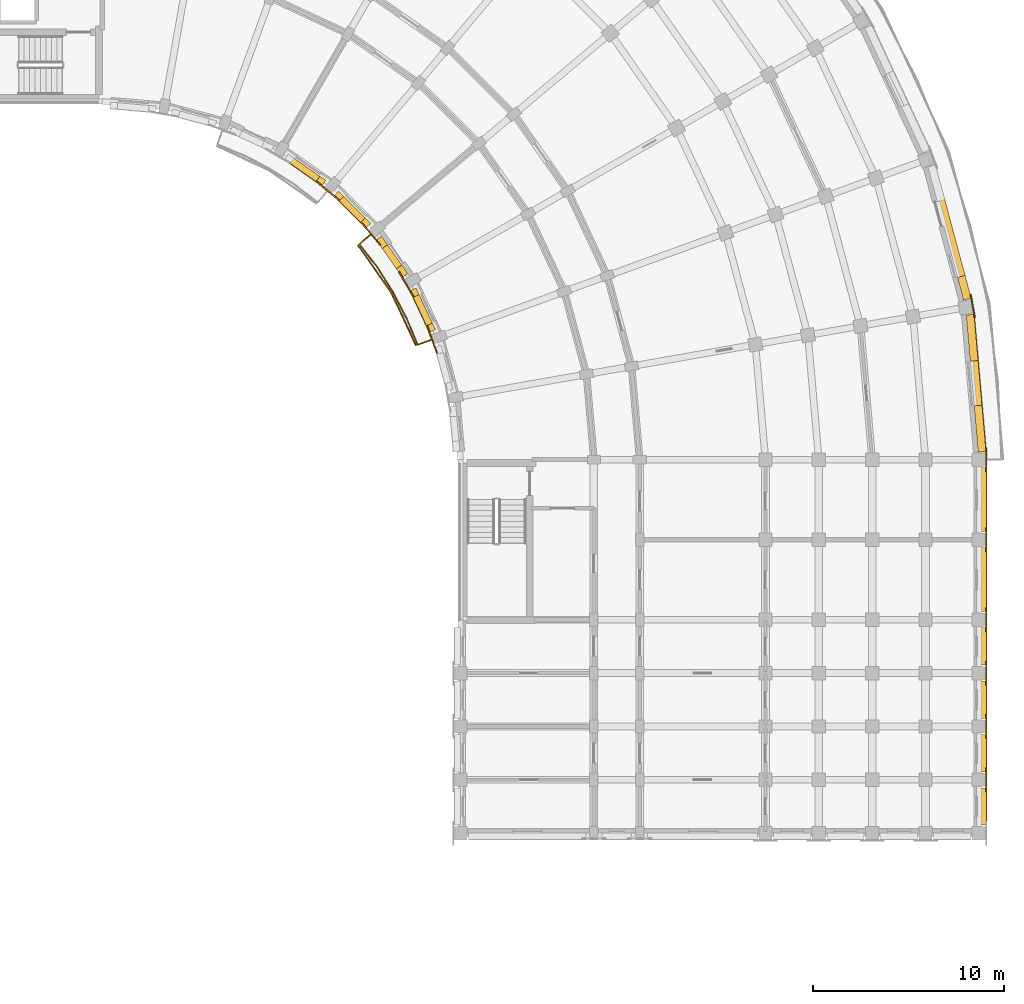
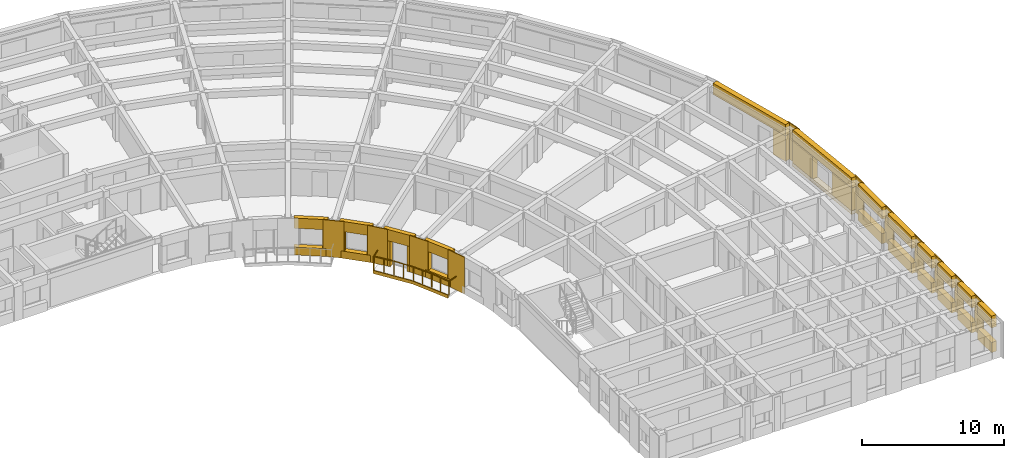
# One storey, part 54 of 57: 44 coverings, 1 railing.
"""IFC4 building model written with IfcOpenShell, lengths in metres."""

import ifcopenshell
import ifcopenshell.guid

model = None  # the IFC model being written
_history = None  # IfcOwnerHistory: only IFC2X3 demands one
_inside = {}  # id of a spatial element -> (the spatial element, [elements in it])
_under = {}  # id of a project, library or spatial element -> (it, [spatial elements below it])
_declared = {}  # id of a project -> (the project, [libraries it declares])
_typed = {}  # id of a type object -> (the type object, [elements of that type])
_made_of = {}  # id of a material, layer set ... -> (it, [elements and type objects made of it])


def new_model(schema):
    """Start an empty IFC model of exactly this schema.

    Asked for "IFC4X3", IfcOpenShell would pick the latest addendum, in which some entities
    have other attributes; the version numbers below select the first issue.
    IFC2X3 requires an IfcOwnerHistory on every rooted entity: one is made here for all.
    """
    global model, _history
    if schema == "IFC4X3":
        model = ifcopenshell.file(schema_version=(4, 3, 0, 0))
    else:
        model = ifcopenshell.file(schema=schema)
    _inside.clear()
    _under.clear()
    _declared.clear()
    _typed.clear()
    _made_of.clear()
    _history = None
    if model.schema == "IFC2X3":
        org = make("IfcOrganization", Name="unknown")
        user = make(
            "IfcPersonAndOrganization",
            ThePerson=make("IfcPerson", FamilyName="unknown"),
            TheOrganization=org,
        )
        app = make(
            "IfcApplication",
            ApplicationDeveloper=org,
            Version="unknown",
            ApplicationFullName="unknown",
            ApplicationIdentifier="unknown",
        )
        _history = make(
            "IfcOwnerHistory",
            OwningUser=user,
            OwningApplication=app,
            ChangeAction="ADDED",
            CreationDate=0,
        )
    return model


def make(cls, **values):
    """One entity of the class cls with the attributes given. An attribute that is None is left unset."""
    return model.create_entity(
        cls, **{name: value for name, value in values.items() if value is not None}
    )


def rooted(cls, **values):
    """An entity with a GlobalId (a new one), such as an element, a storey or a relation."""
    return make(cls, GlobalId=ifcopenshell.guid.new(), OwnerHistory=_history, **values)


def si_unit(unit_type, name, prefix=None):
    """IfcSIUnit, for example si_unit("LENGTHUNIT", "METRE", prefix="MILLI")."""
    return make("IfcSIUnit", UnitType=unit_type, Prefix=prefix, Name=name)


def assignment(units):
    """IfcUnitAssignment: the units of a project."""
    return None if units is None else make("IfcUnitAssignment", Units=units)


def point(xyz):
    """IfcCartesianPoint."""
    return None if xyz is None else make("IfcCartesianPoint", Coordinates=xyz)


def direction(xyz):
    """IfcDirection."""
    return None if xyz is None else make("IfcDirection", DirectionRatios=xyz)


def frame(location, z_axis=None, x_axis=None):
    """IfcAxis2Placement3D, a coordinate frame: its origin and axes. An axis left out is left unset."""
    return make(
        "IfcAxis2Placement3D",
        Location=point(location),
        Axis=direction(z_axis),
        RefDirection=direction(x_axis),
    )


def frame_2d(location, x_axis=None):
    """IfcAxis2Placement2D, a coordinate frame in the plane: its origin and x axis."""
    return make(
        "IfcAxis2Placement2D", Location=point(location), RefDirection=direction(x_axis)
    )


def origin():
    """The frame at (0, 0, 0) with its axes left unset."""
    return frame((0.0, 0.0, 0.0))


def origin_2d():
    """The frame at (0, 0) in the plane with its x axis left unset."""
    return frame_2d((0.0, 0.0))


def place(relative_to, where):
    """IfcLocalPlacement: puts the frame where relative to a parent placement (None: the world)."""
    return make(
        "IfcLocalPlacement", PlacementRelTo=relative_to, RelativePlacement=where
    )


def context(
    kind, dimensions, precision=None, world=None, true_north=None, identifier=None
):
    """IfcGeometricRepresentationContext, for example the 3D "Model" context."""
    return make(
        "IfcGeometricRepresentationContext",
        ContextIdentifier=identifier,
        ContextType=kind,
        CoordinateSpaceDimension=dimensions,
        Precision=precision,
        WorldCoordinateSystem=world,
        TrueNorth=true_north,
    )


def subcontext(parent, identifier, kind, view, scale=None):
    """IfcGeometricRepresentationSubContext, for example "Body" below "Model"."""
    return make(
        "IfcGeometricRepresentationSubContext",
        ContextIdentifier=identifier,
        ContextType=kind,
        ParentContext=parent,
        TargetScale=scale,
        TargetView=view,
    )


def project(units=None, contexts=None):
    """IfcProject with its units and contexts."""
    return rooted(
        "IfcProject",
        Name="project",
        RepresentationContexts=contexts,
        UnitsInContext=assignment(units),
    )


def spatial(cls, under=None, at=None, **own):
    """A site, building, storey or space (cls), placed at a placement, below another one or the project."""
    s = rooted(cls, ObjectPlacement=at, **own)
    if under is not None:
        _under.setdefault(under.id(), (under, []))[1].append(s)
    return s


def polyline(points):
    """IfcPolyline through the points."""
    return make("IfcPolyline", Points=[point(p) for p in points])


def profile(cls, at=None, kind="AREA", **sizes):
    """A parametric profile (cls). Its sizes go by their IFC names, for example OverallWidth=200.0."""
    return make(cls, ProfileType=kind, Position=at, **sizes)


def circle(**sizes):
    """IfcCircleProfileDef."""
    return profile("IfcCircleProfileDef", **sizes)


def outline(outer, holes=None, kind="AREA"):
    """IfcArbitraryClosedProfileDef: a profile drawn as a closed curve; with holes, ...WithVoids."""
    if holes is None:
        return make("IfcArbitraryClosedProfileDef", ProfileType=kind, OuterCurve=outer)
    return make(
        "IfcArbitraryProfileDefWithVoids",
        ProfileType=kind,
        OuterCurve=outer,
        InnerCurves=holes,
    )


def extrude(swept, where, along, depth):
    """IfcExtrudedAreaSolid: the profile swept, set in the frame where, extruded along a direction by depth."""
    return make(
        "IfcExtrudedAreaSolid",
        SweptArea=swept,
        Position=where,
        ExtrudedDirection=direction(along),
        Depth=depth,
    )


def shape(context_of_items, identifier, shape_type, items):
    """IfcShapeRepresentation: the items that make up one representation, for example the "Body"."""
    return make(
        "IfcShapeRepresentation",
        ContextOfItems=context_of_items,
        RepresentationIdentifier=identifier,
        RepresentationType=shape_type,
        Items=items,
    )


def material(Name=None, Category=None):
    """IfcMaterial."""
    return make("IfcMaterial", Name=Name, Category=Category)


def layer(
    of_material, thickness, ventilated=None, Name=None, Category=None, Priority=None
):
    """IfcMaterialLayer: one layer of a wall or slab, of a material (None: an air gap)."""
    return make(
        "IfcMaterialLayer",
        Material=of_material,
        LayerThickness=thickness,
        IsVentilated=ventilated,
        Name=Name,
        Category=Category,
        Priority=Priority,
    )


def layer_set(layers, Name=None):
    """IfcMaterialLayerSet."""
    return make("IfcMaterialLayerSet", MaterialLayers=layers, LayerSetName=Name)


def made_of(thing, what):
    """Note that an element or type object is made of a material, layer set ...; save() writes the relation."""
    if what is not None:
        _made_of.setdefault(what.id(), (what, []))[1].append(thing)
    return thing


def type_object(cls, material=None, **own):
    """A type object (cls), such as IfcWallType, which elements share."""
    return made_of(rooted(cls, **own), material)


def element(
    cls,
    number,
    at=None,
    inside=None,
    cuts=None,
    type_object=None,
    material=None,
    context=None,
    identifier="Body",
    shape_type=None,
    held_by="IfcProductDefinitionShape",
    body=None,
    shapes=None,
    **own,
):
    """One element of the class cls, such as IfcWall. Its Tag is "e" and its number.

    at: its placement. inside: the storey or other place that contains it. cuts: it is an
    opening in that element (IfcRelVoidsElement). A single representation is given by context,
    identifier, shape_type and body (its items); several are given by shapes. held_by: the class
    of the entity that holds the representations. save() writes the other relations.
    """
    e = rooted(cls, Tag="e%d" % number, ObjectPlacement=at, **own)
    if body is not None:
        shapes = [shape(context, identifier, shape_type, body)]
    if shapes is not None:
        e.Representation = make(held_by, Representations=shapes)
    if inside is not None:
        _inside.setdefault(inside.id(), (inside, []))[1].append(e)
    if cuts is not None:
        rooted(
            "IfcRelVoidsElement", RelatingBuildingElement=cuts, RelatedOpeningElement=e
        )
    if type_object is not None:
        _typed.setdefault(type_object.id(), (type_object, []))[1].append(e)
    return made_of(e, material)


def aggregate(whole, parts):
    """IfcRelAggregates: a whole, such as a stair, and the parts it consists of."""
    return rooted("IfcRelAggregates", RelatingObject=whole, RelatedObjects=parts)


def save(model, path):
    """Write the relations noted so far, then the file.

    IfcRelAggregates (storeys below a building ...), IfcRelContainedInSpatialStructure (elements
    in a storey), IfcRelDefinesByType, IfcRelAssociatesMaterial and IfcRelDeclares: one each for
    every whole, place, type object, material and project.
    """
    for whole, parts in _under.values():
        aggregate(whole, parts)
    for where, things in _inside.values():
        rooted(
            "IfcRelContainedInSpatialStructure",
            RelatedElements=things,
            RelatingStructure=where,
        )
    for kind, things in _typed.values():
        rooted("IfcRelDefinesByType", RelatedObjects=things, RelatingType=kind)
    for what, things in _made_of.values():
        rooted("IfcRelAssociatesMaterial", RelatedObjects=things, RelatingMaterial=what)
    for by, libraries in _declared.values():
        rooted("IfcRelDeclares", RelatingContext=by, RelatedDefinitions=libraries)
    model.write(path)


model = new_model("IFC4")

# Units and contexts
model_context = context("Model", 3, precision=1e-05, world=origin(), true_north=direction((0.0, 1.0)))
body_context = subcontext(model_context, "Body", "Model", "MODEL_VIEW")
ifc_project = project(units=[si_unit("LENGTHUNIT", "METRE"), si_unit("AREAUNIT", "SQUARE_METRE"), si_unit("VOLUMEUNIT", "CUBIC_METRE"), si_unit("PLANEANGLEUNIT", "RADIAN"), si_unit("MASSUNIT", "GRAM", prefix="KILO")], contexts=[model_context])

# Site, building, storey
site_placement = place(None, origin())
site = spatial("IfcSite", under=ifc_project, at=site_placement, CompositionType="ELEMENT")
building_placement = place(site_placement, origin())
building = spatial("IfcBuilding", under=site, at=building_placement, Name="Kiranvali Square Residences", CompositionType="ELEMENT")
storey_placement = place(building_placement, frame((0.0, 0.0, 21.300048828125)))
storey = spatial("IfcBuildingStorey", under=building, at=storey_placement, Name="L06", CompositionType="ELEMENT", Elevation=21.300048828125)

# Coverings
ifc_material_1 = material(Name="Carved Porbandar limestone classical entablature and cornice", Category="masonry")
ifc_layer_1 = layer(ifc_material_1, 0.06201171875)
ifc_layer_set_1 = layer_set([ifc_layer_1], Name="Carved Porbandar limestone classical entablature and cornice")
covering_type_1 = type_object("IfcCoveringType", Name="COV-CLAD-GBAL", PredefinedType="CLADDING", material=ifc_layer_set_1)
covering_1_placement = place(storey_placement, frame((0.0, 0.0, -0.219970703125)))
element("IfcCovering", 1, at=covering_1_placement, inside=storey, type_object=covering_type_1, Name="Block B L06 garden balcony limestone fascia 2", PredefinedType="CLADDING", context=body_context, shape_type="SweptSolid", body=[
    extrude(outline(polyline([(133.1904296875, 99.035888671875), (134.938232421875, 96.5400390625), (136.225830078125, 93.778564453125), (136.289794921875, 93.8017578125), (134.9970703125, 96.573974609375), (133.242431640625, 99.07958984375), (133.1904296875, 99.035888671875)])), origin(), (0.0, 0.0, 1.0), 0.27001953125),
])
ifc_material_2 = material(Name="Honed Porbandar limestone ashlar facade cladding", Category="masonry")
ifc_layer_2 = layer(ifc_material_2, 0.3798828125)
ifc_layer_set_2 = layer_set([ifc_layer_2], Name="Honed Porbandar limestone ashlar facade cladding")
covering_type_2 = type_object("IfcCoveringType", Name="COV-CLAD-JAMB", PredefinedType="CLADDING", material=ifc_layer_set_2)
covering_2_placement = place(storey_placement, origin())
element("IfcCovering", 2, at=covering_2_placement, inside=storey, type_object=covering_type_2, Name="L06 deep limestone window jamb reveal B-L06-CRV-07.R", PredefinedType="CLADDING", context=body_context, shape_type="SweptSolid", body=[
    extrude(outline(polyline([(164.6806640625, 97.359375), (164.998046875, 96.17431640625), (165.3935546875, 96.2802734375), (165.076171875, 97.46533203125), (164.6806640625, 97.359375)])), origin(), (0.0, 0.0, 1.0), 2.179931640625),
])
covering_3_placement = place(storey_placement, frame((0.0, 0.0, 0.322021484375)))
element("IfcCovering", 3, at=covering_3_placement, inside=storey, type_object=covering_type_2, Name="L06 deep limestone window jamb reveal B-L06-CRV-08.L", PredefinedType="CLADDING", context=body_context, shape_type="SweptSolid", body=[
    extrude(outline(polyline([(165.136474609375, 95.389404296875), (165.3486328125, 92.964599609375), (165.756591796875, 93.000244140625), (165.54443359375, 95.425048828125), (165.136474609375, 95.389404296875)])), origin(), (0.0, 0.0, 1.0), 1.949951171875),
])
covering_4_placement = place(storey_placement, frame((0.0, 0.0, 0.322021484375)))
element("IfcCovering", 4, at=covering_4_placement, inside=storey, type_object=covering_type_2, Name="L06 deep limestone window jamb reveal B-L06-CRV-08.R", PredefinedType="CLADDING", context=body_context, shape_type="SweptSolid", body=[
    extrude(outline(polyline([(165.553466796875, 90.62353515625), (165.765625, 88.198486328125), (166.173583984375, 88.234130859375), (165.96142578125, 90.6591796875), (165.553466796875, 90.62353515625)])), origin(), (0.0, 0.0, 1.0), 1.949951171875),
])
covering_5_placement = place(storey_placement, frame((0.0, 0.0, 0.671875)))
element("IfcCovering", 5, at=covering_5_placement, inside=storey, type_object=covering_type_2, Name="L06 deep limestone window jamb reveal B-L06-GDN-03.R", PredefinedType="CLADDING", context=body_context, shape_type="SweptSolid", body=[
    extrude(outline(polyline([(131.02294921875, 102.3896484375), (131.328857421875, 102.175537109375), (131.523681640625, 102.45361328125), (131.2177734375, 102.66796875), (131.02294921875, 102.3896484375)])), origin(), (0.0, 0.0, 1.0), 1.60009765625),
])
covering_6_placement = place(storey_placement, frame((0.0, 0.0, 0.6220703125)))
element("IfcCovering", 6, at=covering_6_placement, inside=storey, type_object=covering_type_2, Name="L06 deep limestone window jamb reveal B-L06-GDN-04.L", PredefinedType="CLADDING", context=body_context, shape_type="SweptSolid", body=[
    extrude(outline(polyline([(131.955078125, 101.650146484375), (132.23681640625, 101.368408203125), (132.47705078125, 101.6083984375), (132.195068359375, 101.89013671875), (131.955078125, 101.650146484375)])), origin(), (0.0, 0.0, 1.0), 1.64990234375),
])
covering_7_placement = place(storey_placement, frame((0.0, 0.0, 0.6220703125)))
element("IfcCovering", 7, at=covering_7_placement, inside=storey, type_object=covering_type_2, Name="L06 deep limestone window jamb reveal B-L06-GDN-04.R", PredefinedType="CLADDING", context=body_context, shape_type="SweptSolid", body=[
    extrude(outline(polyline([(133.368408203125, 100.23681640625), (133.650146484375, 99.955078125), (133.89013671875, 100.195068359375), (133.6083984375, 100.47705078125), (133.368408203125, 100.23681640625)])), origin(), (0.0, 0.0, 1.0), 1.64990234375),
])
covering_8_placement = place(storey_placement, origin())
element("IfcCovering", 8, at=covering_8_placement, inside=storey, type_object=covering_type_2, Name="L06 deep limestone window jamb reveal B-L06-GDN-05.L", PredefinedType="CLADDING", context=body_context, shape_type="SweptSolid", body=[
    extrude(outline(polyline([(134.175537109375, 99.328857421875), (134.490234375, 98.879638671875), (134.768310546875, 99.074462890625), (134.45361328125, 99.523681640625), (134.175537109375, 99.328857421875)])), origin(), (0.0, 0.0, 1.0), 2.179931640625),
])
covering_9_placement = place(storey_placement, origin())
element("IfcCovering", 9, at=covering_9_placement, inside=storey, type_object=covering_type_2, Name="L06 deep limestone window jamb reveal B-L06-GDN-05.R", PredefinedType="CLADDING", context=body_context, shape_type="SweptSolid", body=[
    extrude(outline(polyline([(135.23583984375, 97.814697265625), (135.55029296875, 97.365478515625), (135.828369140625, 97.56005859375), (135.513916015625, 98.009521484375), (135.23583984375, 97.814697265625)])), origin(), (0.0, 0.0, 1.0), 2.179931640625),
])
covering_10_placement = place(storey_placement, frame((0.0, 0.0, 0.671875)))
element("IfcCovering", 10, at=covering_10_placement, inside=storey, type_object=covering_type_2, Name="L06 deep limestone window jamb reveal B-L06-GDN-06.L", PredefinedType="CLADDING", context=body_context, shape_type="SweptSolid", body=[
    extrude(outline(polyline([(135.958984375, 96.657470703125), (136.116943359375, 96.319091796875), (136.424560546875, 96.46240234375), (136.266845703125, 96.801025390625), (135.958984375, 96.657470703125)])), origin(), (0.0, 0.0, 1.0), 1.60009765625),
])
covering_11_placement = place(storey_placement, frame((0.0, 0.0, 0.671875)))
element("IfcCovering", 11, at=covering_11_placement, inside=storey, type_object=covering_type_2, Name="L06 deep limestone window jamb reveal B-L06-GDN-06.R", PredefinedType="CLADDING", context=body_context, shape_type="SweptSolid", body=[
    extrude(outline(polyline([(136.814208984375, 94.823486328125), (136.97216796875, 94.485107421875), (137.27978515625, 94.62841796875), (137.1220703125, 94.967041015625), (136.814208984375, 94.823486328125)])), origin(), (0.0, 0.0, 1.0), 1.60009765625),
])
ifc_layer_3 = layer(ifc_material_2, 0.06494140625)
ifc_layer_set_3 = layer_set([ifc_layer_3], Name="Honed Porbandar limestone ashlar facade cladding")
covering_type_3 = type_object("IfcCoveringType", Name="COV-CLAD-PIER", PredefinedType="CLADDING", material=ifc_layer_set_3)
covering_12_placement = place(storey_placement, frame((0.0, 0.0, 0.0048828125)))
element("IfcCovering", 12, at=covering_12_placement, inside=storey, type_object=covering_type_3, Name="L06 Classical limestone corner pilaster CLAD-PR-B-L06-A08", PredefinedType="CLADDING", context=body_context, shape_type="SweptSolid", body=[
    extrude(outline(polyline([(165.622314453125, 95.239990234375), (165.4033203125, 96.480712890625), (165.3369140625, 96.468994140625), (165.5556640625, 95.228271484375), (165.622314453125, 95.239990234375)])), origin(), (0.0, 0.0, 1.0), 3.14013671875),
])
covering_13_placement = place(storey_placement, frame((0.0, 0.0, 0.0048828125)))
element("IfcCovering", 13, at=covering_13_placement, inside=storey, type_object=covering_type_3, Name="L06 Classical limestone corner pilaster CLAD-PR-B-L06-A09", PredefinedType="CLADDING", context=body_context, shape_type="SweptSolid", body=[
    extrude(outline(polyline([(166.218017578125, 87.169921875), (166.218017578125, 88.429931640625), (166.150390625, 88.429931640625), (166.150390625, 87.169921875), (166.218017578125, 87.169921875)])), origin(), (0.0, 0.0, 1.0), 3.14013671875),
])
covering_14_placement = place(storey_placement, frame((0.0, 0.0, 0.0048828125)))
element("IfcCovering", 14, at=covering_14_placement, inside=storey, type_object=covering_type_3, Name="L06 Classical limestone pilaster casing CLAD-PR-B-L06-V42", PredefinedType="CLADDING", context=body_context, shape_type="SweptSolid", body=[
    extrude(outline(polyline([(166.150390625, 84.22998046875), (166.150390625, 82.969970703125), (166.218017578125, 82.969970703125), (166.218017578125, 84.22998046875), (166.150390625, 84.22998046875)])), origin(), (0.0, 0.0, 1.0), 3.14013671875),
])
covering_15_placement = place(storey_placement, frame((0.0, 0.0, 0.0048828125)))
element("IfcCovering", 15, at=covering_15_placement, inside=storey, type_object=covering_type_3, Name="L06 Classical limestone pilaster casing CLAD-PR-B-L06-V84", PredefinedType="CLADDING", context=body_context, shape_type="SweptSolid", body=[
    extrude(outline(polyline([(166.150390625, 80.030029296875), (166.150390625, 78.77001953125), (166.218017578125, 78.77001953125), (166.218017578125, 80.030029296875), (166.150390625, 80.030029296875)])), origin(), (0.0, 0.0, 1.0), 3.14013671875),
])
covering_16_placement = place(storey_placement, frame((0.0, 0.0, 0.0048828125)))
element("IfcCovering", 16, at=covering_16_placement, inside=storey, type_object=covering_type_3, Name="L06 Classical limestone pilaster casing CLAD-PR-B-L06-V112", PredefinedType="CLADDING", context=body_context, shape_type="SweptSolid", body=[
    extrude(outline(polyline([(166.150390625, 77.22998046875), (166.150390625, 75.969970703125), (166.218017578125, 75.969970703125), (166.218017578125, 77.22998046875), (166.150390625, 77.22998046875)])), origin(), (0.0, 0.0, 1.0), 3.14013671875),
])
covering_17_placement = place(storey_placement, frame((0.0, 0.0, 0.0048828125)))
element("IfcCovering", 17, at=covering_17_placement, inside=storey, type_object=covering_type_3, Name="L06 Classical limestone pilaster casing CLAD-PR-B-L06-V140", PredefinedType="CLADDING", context=body_context, shape_type="SweptSolid", body=[
    extrude(outline(polyline([(166.150390625, 74.429931640625), (166.150390625, 73.169921875), (166.218017578125, 73.169921875), (166.218017578125, 74.429931640625), (166.150390625, 74.429931640625)])), origin(), (0.0, 0.0, 1.0), 3.14013671875),
])
covering_18_placement = place(storey_placement, frame((0.0, 0.0, 0.0048828125)))
element("IfcCovering", 18, at=covering_18_placement, inside=storey, type_object=covering_type_3, Name="L06 Classical limestone pilaster casing CLAD-PR-B-L06-V167", PredefinedType="CLADDING", context=body_context, shape_type="SweptSolid", body=[
    extrude(outline(polyline([(166.150390625, 71.6298828125), (166.150390625, 70.3701171875), (166.218017578125, 70.3701171875), (166.218017578125, 71.6298828125), (166.150390625, 71.6298828125)])), origin(), (0.0, 0.0, 1.0), 3.14013671875),
])
ifc_layer_4 = layer(ifc_material_2, 0.050048828125)
ifc_layer_set_4 = layer_set([ifc_layer_4], Name="Honed Porbandar limestone ashlar facade cladding")
covering_type_4 = type_object("IfcCoveringType", Name="COV-CLAD-PIER-IN", PredefinedType="CLADDING", material=ifc_layer_set_4)
covering_19_placement = place(storey_placement, frame((0.0, 0.0, 0.0048828125)))
element("IfcCovering", 19, at=covering_19_placement, inside=storey, type_object=covering_type_4, Name="L06 Classical garden courtyard pilaster CLAD-PRIN-B-L06-A04", PredefinedType="CLADDING", context=body_context, shape_type="SweptSolid", body=[
    extrude(outline(polyline([(131.041259765625, 102.363525390625), (132.190185546875, 101.3994140625), (132.233642578125, 101.451171875), (131.08447265625, 102.415283203125), (131.041259765625, 102.363525390625)])), origin(), (0.0, 0.0, 1.0), 3.14013671875),
])
covering_20_placement = place(storey_placement, frame((0.0, 0.0, 0.0048828125)))
element("IfcCovering", 20, at=covering_20_placement, inside=storey, type_object=covering_type_4, Name="L06 Classical garden courtyard pilaster CLAD-PRIN-B-L06-A05", PredefinedType="CLADDING", context=body_context, shape_type="SweptSolid", body=[
    extrude(outline(polyline([(133.3994140625, 100.190185546875), (134.363525390625, 99.041259765625), (134.415283203125, 99.08447265625), (133.451171875, 100.233642578125), (133.3994140625, 100.190185546875)])), origin(), (0.0, 0.0, 1.0), 3.14013671875),
])
covering_21_placement = place(storey_placement, frame((0.0, 0.0, 0.0048828125)))
element("IfcCovering", 21, at=covering_21_placement, inside=storey, type_object=covering_type_4, Name="L06 Classical garden courtyard pilaster CLAD-PRIN-B-L06-A06", PredefinedType="CLADDING", context=body_context, shape_type="SweptSolid", body=[
    extrude(outline(polyline([(135.34423828125, 97.640625), (136.09423828125, 96.341552734375), (136.15283203125, 96.375244140625), (135.40283203125, 97.67431640625), (135.34423828125, 97.640625)])), origin(), (0.0, 0.0, 1.0), 3.14013671875),
])
covering_22_placement = place(storey_placement, frame((0.0, 0.0, 0.0048828125)))
element("IfcCovering", 22, at=covering_22_placement, inside=storey, type_object=covering_type_4, Name="L06 Classical garden courtyard pilaster CLAD-PRIN-B-L06-A07", PredefinedType="CLADDING", context=body_context, shape_type="SweptSolid", body=[
    extrude(outline(polyline([(136.81689453125, 94.791748046875), (137.329833984375, 93.38232421875), (137.393310546875, 93.4052734375), (136.88037109375, 94.81494140625), (136.81689453125, 94.791748046875)])), origin(), (0.0, 0.0, 1.0), 3.14013671875),
])
ifc_layer_5 = layer(ifc_material_2, 0.360107421875)
ifc_layer_set_5 = layer_set([ifc_layer_5], Name="Honed Porbandar limestone ashlar facade cladding")
covering_type_5 = type_object("IfcCoveringType", Name="COV-CLAD-WALL", PredefinedType="CLADDING", material=ifc_layer_set_5)
covering_23_placement = place(storey_placement, frame((0.0, 0.0, 2.179931640625)))
element("IfcCovering", 23, at=covering_23_placement, inside=storey, type_object=covering_type_5, Name="L06 light limestone spandrel lintel B-L06-CRV-07", PredefinedType="CLADDING", context=body_context, shape_type="SweptSolid", body=[
    extrude(outline(polyline([(163.1298828125, 103.146728515625), (164.998046875, 96.17431640625), (165.3935546875, 96.2802734375), (163.525390625, 103.252685546875), (163.1298828125, 103.146728515625)])), origin(), (0.0, 0.0, 1.0), 0.965087890625),
])
covering_24_placement = place(storey_placement, frame((0.0, 0.0, 2.27197265625)))
element("IfcCovering", 24, at=covering_24_placement, inside=storey, type_object=covering_type_5, Name="L06 light limestone spandrel lintel B-L06-CRV-08", PredefinedType="CLADDING", context=body_context, shape_type="SweptSolid", body=[
    extrude(outline(polyline([(165.136474609375, 95.389404296875), (165.765625, 88.198486328125), (166.173583984375, 88.234130859375), (165.54443359375, 95.425048828125), (165.136474609375, 95.389404296875)])), origin(), (0.0, 0.0, 1.0), 0.873046875),
])
covering_25_placement = place(storey_placement, frame((0.0, 0.0, 0.0048828125)))
element("IfcCovering", 25, at=covering_25_placement, inside=storey, type_object=covering_type_5, Name="L06 limestone window sill apron B-L06-CRV-08", PredefinedType="CLADDING", context=body_context, shape_type="SweptSolid", body=[
    extrude(outline(polyline([(165.136474609375, 95.389404296875), (165.765625, 88.198486328125), (166.203369140625, 88.23681640625), (165.57421875, 95.427734375), (165.136474609375, 95.389404296875)])), origin(), (0.0, 0.0, 1.0), 0.317138671875),
])
covering_26_placement = place(storey_placement, frame((0.0, 0.0, 2.27197265625)))
element("IfcCovering", 26, at=covering_26_placement, inside=storey, type_object=covering_type_5, Name="L06 light limestone spandrel lintel B-L06-GDN-03", PredefinedType="CLADDING", context=body_context, shape_type="SweptSolid", body=[
    extrude(outline(polyline([(129.365478515625, 103.55029296875), (131.328857421875, 102.175537109375), (131.523681640625, 102.45361328125), (129.56005859375, 103.828369140625), (129.365478515625, 103.55029296875)])), origin(), (0.0, 0.0, 1.0), 0.873046875),
])
covering_27_placement = place(storey_placement, frame((0.0, 0.0, 2.27197265625)))
element("IfcCovering", 27, at=covering_27_placement, inside=storey, type_object=covering_type_5, Name="L06 light limestone spandrel lintel B-L06-GDN-04", PredefinedType="CLADDING", context=body_context, shape_type="SweptSolid", body=[
    extrude(outline(polyline([(131.955078125, 101.650146484375), (133.650146484375, 99.955078125), (133.89013671875, 100.195068359375), (132.195068359375, 101.89013671875), (131.955078125, 101.650146484375)])), origin(), (0.0, 0.0, 1.0), 0.873046875),
])
covering_28_placement = place(storey_placement, frame((0.0, 0.0, 2.179931640625)))
element("IfcCovering", 28, at=covering_28_placement, inside=storey, type_object=covering_type_5, Name="L06 light limestone spandrel lintel B-L06-GDN-05", PredefinedType="CLADDING", context=body_context, shape_type="SweptSolid", body=[
    extrude(outline(polyline([(134.175537109375, 99.328857421875), (135.55029296875, 97.365478515625), (135.828369140625, 97.56005859375), (134.45361328125, 99.523681640625), (134.175537109375, 99.328857421875)])), origin(), (0.0, 0.0, 1.0), 0.965087890625),
])
covering_29_placement = place(storey_placement, frame((0.0, 0.0, 2.27197265625)))
element("IfcCovering", 29, at=covering_29_placement, inside=storey, type_object=covering_type_5, Name="L06 light limestone spandrel lintel B-L06-GDN-06", PredefinedType="CLADDING", context=body_context, shape_type="SweptSolid", body=[
    extrude(outline(polyline([(135.958984375, 96.657470703125), (136.97216796875, 94.485107421875), (137.27978515625, 94.62841796875), (136.266845703125, 96.801025390625), (135.958984375, 96.657470703125)])), origin(), (0.0, 0.0, 1.0), 0.873046875),
])
covering_30_placement = place(storey_placement, frame((0.0, 0.0, 2.1298828125)))
element("IfcCovering", 30, at=covering_30_placement, inside=storey, type_object=covering_type_5, Name="L06 light limestone spandrel lintel B-L06-A2O-0", PredefinedType="CLADDING", context=body_context, shape_type="SweptSolid", body=[
    extrude(outline(polyline([(165.800537109375, 87.3798828125), (165.800537109375, 84.02001953125), (166.199951171875, 84.02001953125), (166.199951171875, 87.3798828125), (165.800537109375, 87.3798828125)])), origin(), (0.0, 0.0, 1.0), 1.01513671875),
])
covering_31_placement = place(storey_placement, frame((0.0, 0.0, 0.0048828125)))
element("IfcCovering", 31, at=covering_31_placement, inside=storey, type_object=covering_type_5, Name="L06 limestone window sill apron B-L06-A2O-0", PredefinedType="CLADDING", context=body_context, shape_type="SweptSolid", body=[
    extrude(outline(polyline([(165.800537109375, 87.3798828125), (165.800537109375, 84.02001953125), (166.22998046875, 84.02001953125), (166.22998046875, 87.3798828125), (165.800537109375, 87.3798828125)])), origin(), (0.0, 0.0, 1.0), 0.875),
])
covering_32_placement = place(storey_placement, frame((0.0, 0.0, 2.1298828125)))
element("IfcCovering", 32, at=covering_32_placement, inside=storey, type_object=covering_type_5, Name="L06 light limestone spandrel lintel B-L06-A2O-1", PredefinedType="CLADDING", context=body_context, shape_type="SweptSolid", body=[
    extrude(outline(polyline([(165.800537109375, 83.179931640625), (165.800537109375, 79.820068359375), (166.199951171875, 79.820068359375), (166.199951171875, 83.179931640625), (165.800537109375, 83.179931640625)])), origin(), (0.0, 0.0, 1.0), 1.01513671875),
])
covering_33_placement = place(storey_placement, frame((0.0, 0.0, 0.0048828125)))
element("IfcCovering", 33, at=covering_33_placement, inside=storey, type_object=covering_type_5, Name="L06 limestone window sill apron B-L06-A2O-1", PredefinedType="CLADDING", context=body_context, shape_type="SweptSolid", body=[
    extrude(outline(polyline([(165.800537109375, 83.179931640625), (165.800537109375, 79.820068359375), (166.22998046875, 79.820068359375), (166.22998046875, 83.179931640625), (165.800537109375, 83.179931640625)])), origin(), (0.0, 0.0, 1.0), 0.875),
])
covering_34_placement = place(storey_placement, frame((0.0, 0.0, 2.1298828125)))
element("IfcCovering", 34, at=covering_34_placement, inside=storey, type_object=covering_type_5, Name="L06 light limestone spandrel lintel B-L06-A2O-2", PredefinedType="CLADDING", context=body_context, shape_type="SweptSolid", body=[
    extrude(outline(polyline([(165.800537109375, 78.97998046875), (165.800537109375, 77.02001953125), (166.199951171875, 77.02001953125), (166.199951171875, 78.97998046875), (165.800537109375, 78.97998046875)])), origin(), (0.0, 0.0, 1.0), 1.01513671875),
])
covering_35_placement = place(storey_placement, frame((0.0, 0.0, 0.0048828125)))
element("IfcCovering", 35, at=covering_35_placement, inside=storey, type_object=covering_type_5, Name="L06 limestone window sill apron B-L06-A2O-2", PredefinedType="CLADDING", context=body_context, shape_type="SweptSolid", body=[
    extrude(outline(polyline([(165.800537109375, 78.97998046875), (165.800537109375, 77.02001953125), (166.22998046875, 77.02001953125), (166.22998046875, 78.97998046875), (165.800537109375, 78.97998046875)])), origin(), (0.0, 0.0, 1.0), 0.875),
])
covering_36_placement = place(storey_placement, frame((0.0, 0.0, 2.1298828125)))
element("IfcCovering", 36, at=covering_36_placement, inside=storey, type_object=covering_type_5, Name="L06 light limestone spandrel lintel B-L06-A2O-3", PredefinedType="CLADDING", context=body_context, shape_type="SweptSolid", body=[
    extrude(outline(polyline([(165.800537109375, 76.179931640625), (165.800537109375, 74.219970703125), (166.199951171875, 74.219970703125), (166.199951171875, 76.179931640625), (165.800537109375, 76.179931640625)])), origin(), (0.0, 0.0, 1.0), 1.01513671875),
])
covering_37_placement = place(storey_placement, frame((0.0, 0.0, 0.0048828125)))
element("IfcCovering", 37, at=covering_37_placement, inside=storey, type_object=covering_type_5, Name="L06 limestone window sill apron B-L06-A2O-3", PredefinedType="CLADDING", context=body_context, shape_type="SweptSolid", body=[
    extrude(outline(polyline([(165.800537109375, 76.179931640625), (165.800537109375, 74.219970703125), (166.22998046875, 74.219970703125), (166.22998046875, 76.179931640625), (165.800537109375, 76.179931640625)])), origin(), (0.0, 0.0, 1.0), 0.875),
])
covering_38_placement = place(storey_placement, frame((0.0, 0.0, 2.1298828125)))
element("IfcCovering", 38, at=covering_38_placement, inside=storey, type_object=covering_type_5, Name="L06 light limestone spandrel lintel B-L06-A2O-4", PredefinedType="CLADDING", context=body_context, shape_type="SweptSolid", body=[
    extrude(outline(polyline([(165.800537109375, 73.3798828125), (165.800537109375, 71.419921875), (166.199951171875, 71.419921875), (166.199951171875, 73.3798828125), (165.800537109375, 73.3798828125)])), origin(), (0.0, 0.0, 1.0), 1.01513671875),
])
covering_39_placement = place(storey_placement, frame((0.0, 0.0, 0.0048828125)))
element("IfcCovering", 39, at=covering_39_placement, inside=storey, type_object=covering_type_5, Name="L06 limestone window sill apron B-L06-A2O-4", PredefinedType="CLADDING", context=body_context, shape_type="SweptSolid", body=[
    extrude(outline(polyline([(165.800537109375, 73.3798828125), (165.800537109375, 71.419921875), (166.22998046875, 71.419921875), (166.22998046875, 73.3798828125), (165.800537109375, 73.3798828125)])), origin(), (0.0, 0.0, 1.0), 0.875),
])
covering_40_placement = place(storey_placement, frame((0.0, 0.0, 2.1298828125)))
element("IfcCovering", 40, at=covering_40_placement, inside=storey, type_object=covering_type_5, Name="L06 light limestone spandrel lintel B-L06-A2O-5", PredefinedType="CLADDING", context=body_context, shape_type="SweptSolid", body=[
    extrude(outline(polyline([(165.800537109375, 70.580078125), (165.800537109375, 68.6201171875), (166.199951171875, 68.6201171875), (166.199951171875, 70.580078125), (165.800537109375, 70.580078125)])), origin(), (0.0, 0.0, 1.0), 1.01513671875),
])
covering_41_placement = place(storey_placement, frame((0.0, 0.0, 0.0048828125)))
element("IfcCovering", 41, at=covering_41_placement, inside=storey, type_object=covering_type_5, Name="L06 limestone window sill apron B-L06-A2O-5", PredefinedType="CLADDING", context=body_context, shape_type="SweptSolid", body=[
    extrude(outline(polyline([(165.800537109375, 70.580078125), (165.800537109375, 68.6201171875), (166.22998046875, 68.6201171875), (166.22998046875, 70.580078125), (165.800537109375, 70.580078125)])), origin(), (0.0, 0.0, 1.0), 0.875),
])
ifc_layer_6 = layer(ifc_material_2, 0.2900390625)
ifc_layer_set_6 = layer_set([ifc_layer_6], Name="Honed Porbandar limestone ashlar facade cladding")
covering_type_6 = type_object("IfcCoveringType", Name="COV-CLAD-WALL-IN", PredefinedType="CLADDING", material=ifc_layer_set_6)
covering_42_placement = place(storey_placement, frame((0.0, 0.0, 0.0048828125)))
element("IfcCovering", 42, at=covering_42_placement, inside=storey, type_object=covering_type_6, Name="L06 limestone window sill apron B-L06-GDN-03", PredefinedType="CLADDING", context=body_context, shape_type="SweptSolid", body=[
    extrude(outline(polyline([(129.34814453125, 103.52587890625), (131.311767578125, 102.15087890625), (131.523681640625, 102.45361328125), (129.56005859375, 103.828369140625), (129.34814453125, 103.52587890625)])), origin(), (0.0, 0.0, 1.0), 0.6669921875),
])
covering_43_placement = place(storey_placement, frame((0.0, 0.0, 0.0048828125)))
element("IfcCovering", 43, at=covering_43_placement, inside=storey, type_object=covering_type_6, Name="L06 limestone window sill apron B-L06-GDN-04", PredefinedType="CLADDING", context=body_context, shape_type="SweptSolid", body=[
    extrude(outline(polyline([(131.933837890625, 101.62890625), (133.62890625, 99.933837890625), (133.89013671875, 100.195068359375), (132.195068359375, 101.89013671875), (131.933837890625, 101.62890625)])), origin(), (0.0, 0.0, 1.0), 0.6171875),
])
covering_44_placement = place(storey_placement, frame((0.0, 0.0, 0.0048828125)))
element("IfcCovering", 44, at=covering_44_placement, inside=storey, type_object=covering_type_6, Name="L06 limestone window sill apron B-L06-GDN-06", PredefinedType="CLADDING", context=body_context, shape_type="SweptSolid", body=[
    extrude(outline(polyline([(135.931884765625, 96.644775390625), (136.94482421875, 94.472412109375), (137.27978515625, 94.62841796875), (136.266845703125, 96.801025390625), (135.931884765625, 96.644775390625)])), origin(), (0.0, 0.0, 1.0), 0.6669921875),
])

# Railing
ifc_material_3 = material(Name="Powder-coated architectural bronze balustrade", Category="steel")
railing_type = type_object("IfcRailingType", Name="RL-BAL-GOLD-1200", PredefinedType="BALUSTRADE", material=ifc_material_3)
railing_placement = place(storey_placement, frame((134.1708984375, 99.858642578125, 0.0)))
element("IfcRailing", 45, at=railing_placement, inside=storey, type_object=railing_type, Name="Block B L06 garden balcony gold balustrade 2", PredefinedType="BALUSTRADE", context=body_context, shape_type="SweptSolid", body=[
    extrude(circle(Radius=0.02392578125, at=origin_2d()), frame((0.0, 0.0, 1.17578125), z_axis=(-0.765989188314, -0.642853454051, 0.0), x_axis=(0.642853454051, -0.765989188314, 0.0)), (0.0, 0.0, 1.0), 1.14990234375),
    extrude(circle(Radius=0.02392578125, at=origin_2d()), frame((-0.880859375, -0.7392578125, 1.17578125), z_axis=(0.608811807471, -0.793314680996, 0.0), x_axis=(0.793314680996, 0.608811807471, 0.0)), (0.0, 0.0, 1.0), 1.536376953125),
    extrude(circle(Radius=0.02392578125, at=origin_2d()), frame((0.054443359375, -1.9580078125, 1.17578125), z_axis=(0.537307309343, -0.843386539688, 0.0), x_axis=(0.843386539688, 0.537307309343, 0.0)), (0.0, 0.0, 1.0), 1.5361328125),
    extrude(circle(Radius=0.02392578125, at=origin_2d()), frame((0.8798828125, -3.253662109375, 1.17578125), z_axis=(0.461713009976, -0.887029366154, 0.0), x_axis=(0.887029366154, 0.461713009976, 0.0)), (0.0, 0.0, 1.0), 1.5361328125),
    extrude(circle(Radius=0.02392578125, at=origin_2d()), frame((1.589111328125, -4.6162109375, 1.17578125), z_axis=(0.382651197843, -0.923892883829, 0.0), x_axis=(0.923892883829, 0.382651197843, 0.0)), (0.0, 0.0, 1.0), 1.536376953125),
    extrude(circle(Radius=0.02392578125, at=origin_2d()), frame((2.177001953125, -6.03564453125, 1.17578125), z_axis=(0.939712828289, 0.341964618562, 0.0), x_axis=(-0.341964618562, 0.939712828289, 0.0)), (0.0, 0.0, 1.0), 1.150146484375),
    extrude(circle(Radius=0.02099609375, at=origin_2d()), origin(), (0.0, 0.0, 1.0), 1.15185546875),
    extrude(circle(Radius=0.02099609375, at=origin_2d()), frame((-0.880859375, -0.7392578125, 0.0)), (0.0, 0.0, 1.0), 1.15185546875),
    extrude(circle(Radius=0.02099609375, at=origin_2d()), frame((-0.4130859375, -1.3486328125, 0.0)), (0.0, 0.0, 1.0), 1.15185546875),
    extrude(circle(Radius=0.02099609375, at=origin_2d()), frame((0.054443359375, -1.9580078125, 0.0)), (0.0, 0.0, 1.0), 1.15185546875),
    extrude(circle(Radius=0.02099609375, at=origin_2d()), frame((0.46728515625, -2.60595703125, 0.0)), (0.0, 0.0, 1.0), 1.15185546875),
    extrude(circle(Radius=0.02099609375, at=origin_2d()), frame((0.8798828125, -3.253662109375, 0.0)), (0.0, 0.0, 1.0), 1.15185546875),
    extrude(circle(Radius=0.02099609375, at=origin_2d()), frame((1.234375, -3.93505859375, 0.0)), (0.0, 0.0, 1.0), 1.15185546875),
    extrude(circle(Radius=0.02099609375, at=origin_2d()), frame((1.589111328125, -4.6162109375, 0.0)), (0.0, 0.0, 1.0), 1.15185546875),
    extrude(circle(Radius=0.02099609375, at=origin_2d()), frame((1.883056640625, -5.325927734375, 0.0)), (0.0, 0.0, 1.0), 1.15185546875),
    extrude(circle(Radius=0.02099609375, at=origin_2d()), frame((2.177001953125, -6.03564453125, 0.0)), (0.0, 0.0, 1.0), 1.15185546875),
    extrude(circle(Radius=0.02099609375, at=origin_2d()), frame((3.2578125, -5.642333984375, 0.0)), (0.0, 0.0, 1.0), 1.15185546875),
])

save(model, "model.ifc")
